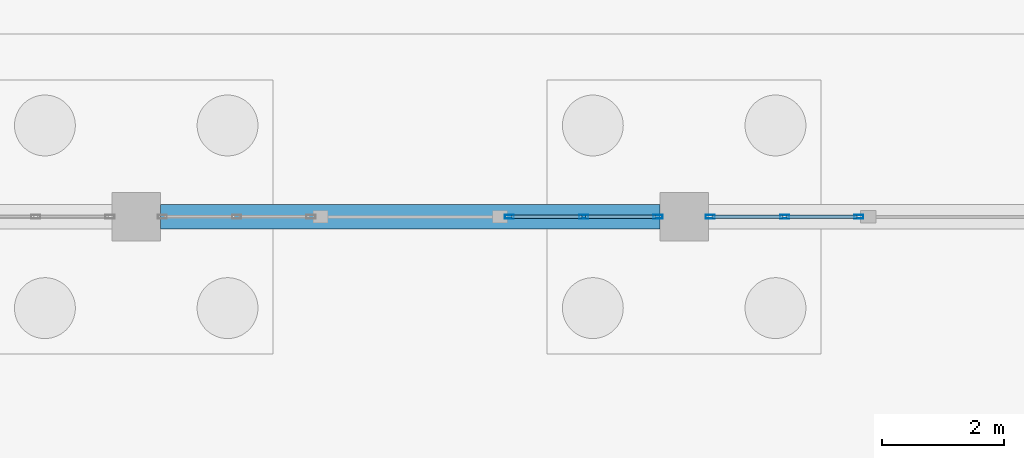
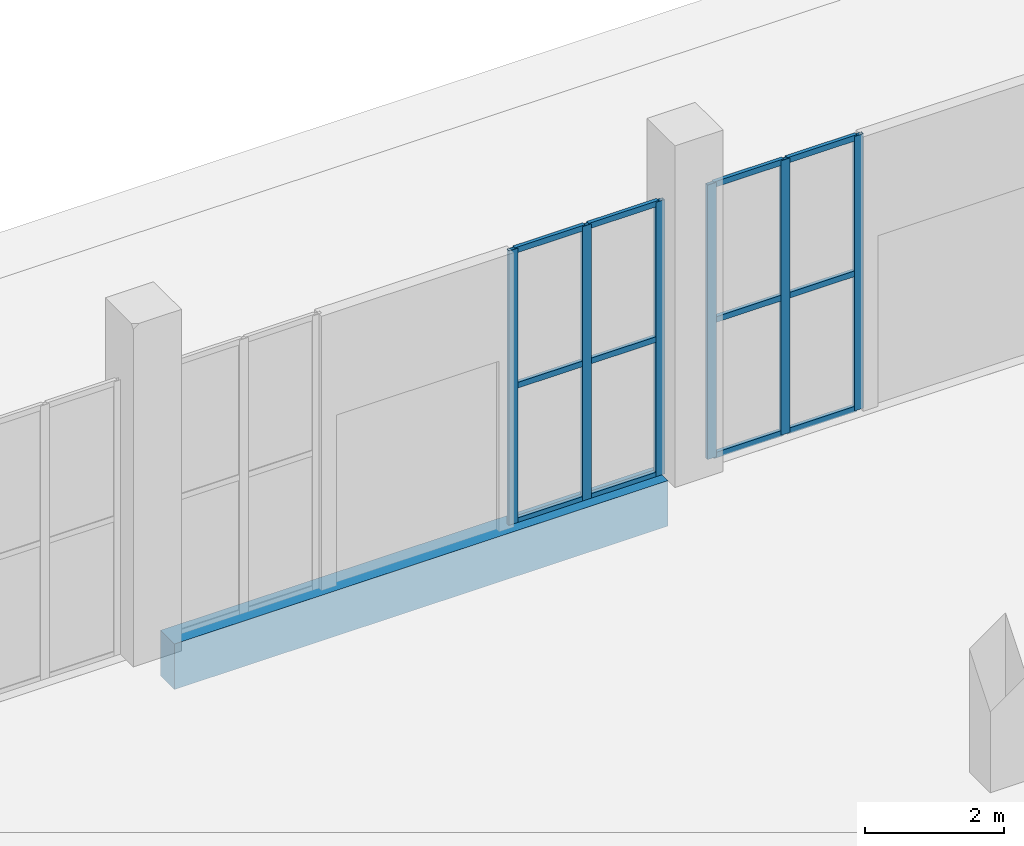
# One storey, part 40 of 198: 18 members, 1 beam, 2 elements without a shape of their own.
"""IFC4 building model written with IfcOpenShell, lengths in metres."""

from ifc_helpers import new_model, si_unit, direction, frame, origin, origin_2d, place, context, subcontext, project, spatial, rectangle, hollow_rectangle, extrude, material, layer, layer_set, material_profile, profile_set, type_object, element, aggregate, save


model = new_model("IFC4")

# Units and contexts
model_context = context("Model", 3, precision=1e-05, world=origin(), true_north=direction((0.0, 1.0)))
body_context = subcontext(model_context, "Body", "Model", "MODEL_VIEW")
ifc_project = project(units=[si_unit("LENGTHUNIT", "METRE"), si_unit("AREAUNIT", "SQUARE_METRE"), si_unit("VOLUMEUNIT", "CUBIC_METRE"), si_unit("PLANEANGLEUNIT", "RADIAN"), si_unit("MASSUNIT", "GRAM", prefix="KILO")], contexts=[model_context])

# Site, building, storey
site_placement = place(None, origin())
site = spatial("IfcSite", under=ifc_project, at=site_placement, CompositionType="ELEMENT")
building_placement = place(site_placement, origin())
building = spatial("IfcBuilding", under=site, at=building_placement, Name="Opaline Strait Convention Centre", CompositionType="ELEMENT")
storey_placement = place(building_placement, origin())
storey = spatial("IfcBuildingStorey", under=building, at=storey_placement, Name="L00", CompositionType="ELEMENT", Elevation=0.0)

# Curtain wall, members
ifc_material_1 = material(Name="Aluminium framed double glazing", Category="aluminium")
ifc_layer = layer(ifc_material_1, 0.199951171875)
ifc_layer_set = layer_set([ifc_layer], Name="Aluminium framed double glazing")
curtain_wall_type = type_object("IfcCurtainWallType", Name="Curtain wall 1250", PredefinedType="NOTDEFINED", material=ifc_layer_set)
curtain_wall_1_placement = place(storey_placement, origin())
curtain_wall_1 = element("IfcCurtainWall", 1, at=curtain_wall_1_placement, inside=storey, type_object=curtain_wall_type, Name="Curtain wall N-27b-L00", PredefinedType="NOTDEFINED")
ifc_material_2 = material(Name="Aluminium alloy 6063", Category="aluminium")
ifc_material_profile_1 = material_profile(ifc_material_2, hollow_rectangle(XDim=0.06005859375, YDim=0.14990234375, WallThickness=0.00390625, at=origin_2d()), Name="MULLION 60x150x4")
ifc_profile_set_1 = profile_set([ifc_material_profile_1], Name="Aluminium alloy 6063")
member_type_1 = type_object("IfcMemberType", Name="Curtain wall mullion 60 x 150", PredefinedType="MULLION", material=ifc_profile_set_1)
member_1_placement = place(storey_placement, frame((33.130126953125, 180.0, 0.0), z_axis=(0.0, 0.0, 1.0), x_axis=(0.0, 1.0, 0.0)))
member_1 = element("IfcMember", 2, at=member_1_placement, type_object=member_type_1, Name="PCW mullion 1", PredefinedType="MULLION", context=body_context, shape_type="SweptSolid", body=[
    extrude(hollow_rectangle(XDim=0.06005859375, YDim=0.14990234375, WallThickness=0.00390625, at=origin_2d()), origin(), (0.0, 0.0, 1.0), 4.820068359375),
])
member_2_placement = place(storey_placement, frame((34.35009765625, 180.0, 0.0), z_axis=(0.0, 0.0, 1.0), x_axis=(0.0, 1.0, 0.0)))
member_2 = element("IfcMember", 3, at=member_2_placement, type_object=member_type_1, Name="PCW mullion 2", PredefinedType="MULLION", context=body_context, shape_type="SweptSolid", body=[
    extrude(hollow_rectangle(XDim=0.06005859375, YDim=0.14990234375, WallThickness=0.00390625, at=origin_2d()), origin(), (0.0, 0.0, 1.0), 4.820068359375),
])
member_3_placement = place(storey_placement, frame((35.570068359375, 180.0, 0.0), z_axis=(0.0, 0.0, 1.0), x_axis=(0.0, 1.0, 0.0)))
member_3 = element("IfcMember", 4, at=member_3_placement, type_object=member_type_1, Name="PCW mullion 3", PredefinedType="MULLION", context=body_context, shape_type="SweptSolid", body=[
    extrude(hollow_rectangle(XDim=0.06005859375, YDim=0.14990234375, WallThickness=0.00390625, at=origin_2d()), origin(), (0.0, 0.0, 1.0), 4.820068359375),
])

curtain_wall_2_placement = place(storey_placement, origin())
curtain_wall_2 = element("IfcCurtainWall", 5, at=curtain_wall_2_placement, inside=storey, type_object=curtain_wall_type, Name="Curtain wall N-36a-L00", PredefinedType="NOTDEFINED")
member_4_placement = place(storey_placement, frame((36.429931640625, 180.0, 0.0), z_axis=(0.0, 0.0, 1.0), x_axis=(0.0, 1.0, 0.0)))
member_4 = element("IfcMember", 6, at=member_4_placement, type_object=member_type_1, Name="PCW mullion 1", PredefinedType="MULLION", context=body_context, shape_type="SweptSolid", body=[
    extrude(hollow_rectangle(XDim=0.06005859375, YDim=0.14990234375, WallThickness=0.00390625, at=origin_2d()), origin(), (0.0, 0.0, 1.0), 4.820068359375),
])
member_5_placement = place(storey_placement, frame((37.64990234375, 180.0, 0.0), z_axis=(0.0, 0.0, 1.0), x_axis=(0.0, 1.0, 0.0)))
member_5 = element("IfcMember", 7, at=member_5_placement, type_object=member_type_1, Name="PCW mullion 2", PredefinedType="MULLION", context=body_context, shape_type="SweptSolid", body=[
    extrude(hollow_rectangle(XDim=0.06005859375, YDim=0.14990234375, WallThickness=0.00390625, at=origin_2d()), origin(), (0.0, 0.0, 1.0), 4.820068359375),
])
member_6_placement = place(storey_placement, frame((38.869873046875, 180.0, 0.0), z_axis=(0.0, 0.0, 1.0), x_axis=(0.0, 1.0, 0.0)))
member_6 = element("IfcMember", 8, at=member_6_placement, type_object=member_type_1, Name="PCW mullion 3", PredefinedType="MULLION", context=body_context, shape_type="SweptSolid", body=[
    extrude(hollow_rectangle(XDim=0.06005859375, YDim=0.14990234375, WallThickness=0.00390625, at=origin_2d()), origin(), (0.0, 0.0, 1.0), 4.820068359375),
])

# Member
ifc_material_profile_2 = material_profile(ifc_material_2, hollow_rectangle(XDim=0.06005859375, YDim=0.10009765625, WallThickness=0.0029296875, at=origin_2d()), Name="TRANSOM 60x100x3")
ifc_profile_set_2 = profile_set([ifc_material_profile_2], Name="Aluminium alloy 6063")
member_type_2 = type_object("IfcMemberType", Name="Curtain wall transom 60 x 100", PredefinedType="USERDEFINED", material=ifc_profile_set_2)
member_7_placement = place(storey_placement, frame((33.16015625, 180.0, 0.030029296875), z_axis=(1.0, 0.0, 0.0), x_axis=(0.0, 1.0, 0.0)))
member_7 = element("IfcMember", 9, at=member_7_placement, type_object=member_type_2, Name="PCW transom 1.1", ObjectType="TRANSOM", PredefinedType="USERDEFINED", context=body_context, shape_type="SweptSolid", body=[
    extrude(hollow_rectangle(XDim=0.06005859375, YDim=0.10009765625, WallThickness=0.0029296875, at=origin_2d()), origin(), (0.0, 0.0, 1.0), 1.159912109375),
])

member_8_placement = place(storey_placement, frame((33.16015625, 180.0, 2.409912109375), z_axis=(1.0, 0.0, 0.0), x_axis=(0.0, 1.0, 0.0)))
member_8 = element("IfcMember", 10, at=member_8_placement, type_object=member_type_2, Name="PCW transom 1.2", ObjectType="TRANSOM", PredefinedType="USERDEFINED", context=body_context, shape_type="SweptSolid", body=[
    extrude(hollow_rectangle(XDim=0.06005859375, YDim=0.10009765625, WallThickness=0.0029296875, at=origin_2d()), origin(), (0.0, 0.0, 1.0), 1.159912109375),
])

member_9_placement = place(storey_placement, frame((33.16015625, 180.0, 4.7900390625), z_axis=(1.0, 0.0, 0.0), x_axis=(0.0, 1.0, 0.0)))
member_9 = element("IfcMember", 11, at=member_9_placement, type_object=member_type_2, Name="PCW transom 1.3", ObjectType="TRANSOM", PredefinedType="USERDEFINED", context=body_context, shape_type="SweptSolid", body=[
    extrude(hollow_rectangle(XDim=0.06005859375, YDim=0.10009765625, WallThickness=0.0029296875, at=origin_2d()), origin(), (0.0, 0.0, 1.0), 1.159912109375),
])

member_10_placement = place(storey_placement, frame((34.380126953125, 180.0, 0.030029296875), z_axis=(1.0, 0.0, 0.0), x_axis=(0.0, 1.0, 0.0)))
member_10 = element("IfcMember", 12, at=member_10_placement, type_object=member_type_2, Name="PCW transom 2.1", ObjectType="TRANSOM", PredefinedType="USERDEFINED", context=body_context, shape_type="SweptSolid", body=[
    extrude(hollow_rectangle(XDim=0.06005859375, YDim=0.10009765625, WallThickness=0.0029296875, at=origin_2d()), origin(), (0.0, 0.0, 1.0), 1.159912109375),
])

member_11_placement = place(storey_placement, frame((34.380126953125, 180.0, 2.409912109375), z_axis=(1.0, 0.0, 0.0), x_axis=(0.0, 1.0, 0.0)))
member_11 = element("IfcMember", 13, at=member_11_placement, type_object=member_type_2, Name="PCW transom 2.2", ObjectType="TRANSOM", PredefinedType="USERDEFINED", context=body_context, shape_type="SweptSolid", body=[
    extrude(hollow_rectangle(XDim=0.06005859375, YDim=0.10009765625, WallThickness=0.0029296875, at=origin_2d()), origin(), (0.0, 0.0, 1.0), 1.159912109375),
])

member_12_placement = place(storey_placement, frame((34.380126953125, 180.0, 4.7900390625), z_axis=(1.0, 0.0, 0.0), x_axis=(0.0, 1.0, 0.0)))
member_12 = element("IfcMember", 14, at=member_12_placement, type_object=member_type_2, Name="PCW transom 2.3", ObjectType="TRANSOM", PredefinedType="USERDEFINED", context=body_context, shape_type="SweptSolid", body=[
    extrude(hollow_rectangle(XDim=0.06005859375, YDim=0.10009765625, WallThickness=0.0029296875, at=origin_2d()), origin(), (0.0, 0.0, 1.0), 1.159912109375),
])

aggregate(curtain_wall_1, [member_1, member_2, member_3, member_7, member_8, member_9, member_10, member_11, member_12])

member_13_placement = place(storey_placement, frame((36.4599609375, 180.0, 0.030029296875), z_axis=(1.0, 0.0, 0.0), x_axis=(0.0, 1.0, 0.0)))
member_13 = element("IfcMember", 15, at=member_13_placement, type_object=member_type_2, Name="PCW transom 1.1", ObjectType="TRANSOM", PredefinedType="USERDEFINED", context=body_context, shape_type="SweptSolid", body=[
    extrude(hollow_rectangle(XDim=0.06005859375, YDim=0.10009765625, WallThickness=0.0029296875, at=origin_2d()), origin(), (0.0, 0.0, 1.0), 1.159912109375),
])

member_14_placement = place(storey_placement, frame((36.4599609375, 180.0, 2.409912109375), z_axis=(1.0, 0.0, 0.0), x_axis=(0.0, 1.0, 0.0)))
member_14 = element("IfcMember", 16, at=member_14_placement, type_object=member_type_2, Name="PCW transom 1.2", ObjectType="TRANSOM", PredefinedType="USERDEFINED", context=body_context, shape_type="SweptSolid", body=[
    extrude(hollow_rectangle(XDim=0.06005859375, YDim=0.10009765625, WallThickness=0.0029296875, at=origin_2d()), origin(), (0.0, 0.0, 1.0), 1.159912109375),
])

member_15_placement = place(storey_placement, frame((36.4599609375, 180.0, 4.7900390625), z_axis=(1.0, 0.0, 0.0), x_axis=(0.0, 1.0, 0.0)))
member_15 = element("IfcMember", 17, at=member_15_placement, type_object=member_type_2, Name="PCW transom 1.3", ObjectType="TRANSOM", PredefinedType="USERDEFINED", context=body_context, shape_type="SweptSolid", body=[
    extrude(hollow_rectangle(XDim=0.06005859375, YDim=0.10009765625, WallThickness=0.0029296875, at=origin_2d()), origin(), (0.0, 0.0, 1.0), 1.159912109375),
])

member_16_placement = place(storey_placement, frame((37.679931640625, 180.0, 0.030029296875), z_axis=(1.0, 0.0, 0.0), x_axis=(0.0, 1.0, 0.0)))
member_16 = element("IfcMember", 18, at=member_16_placement, type_object=member_type_2, Name="PCW transom 2.1", ObjectType="TRANSOM", PredefinedType="USERDEFINED", context=body_context, shape_type="SweptSolid", body=[
    extrude(hollow_rectangle(XDim=0.06005859375, YDim=0.10009765625, WallThickness=0.0029296875, at=origin_2d()), origin(), (0.0, 0.0, 1.0), 1.159912109375),
])

member_17_placement = place(storey_placement, frame((37.679931640625, 180.0, 2.409912109375), z_axis=(1.0, 0.0, 0.0), x_axis=(0.0, 1.0, 0.0)))
member_17 = element("IfcMember", 19, at=member_17_placement, type_object=member_type_2, Name="PCW transom 2.2", ObjectType="TRANSOM", PredefinedType="USERDEFINED", context=body_context, shape_type="SweptSolid", body=[
    extrude(hollow_rectangle(XDim=0.06005859375, YDim=0.10009765625, WallThickness=0.0029296875, at=origin_2d()), origin(), (0.0, 0.0, 1.0), 1.159912109375),
])

member_18_placement = place(storey_placement, frame((37.679931640625, 180.0, 4.7900390625), z_axis=(1.0, 0.0, 0.0), x_axis=(0.0, 1.0, 0.0)))
member_18 = element("IfcMember", 20, at=member_18_placement, type_object=member_type_2, Name="PCW transom 2.3", ObjectType="TRANSOM", PredefinedType="USERDEFINED", context=body_context, shape_type="SweptSolid", body=[
    extrude(hollow_rectangle(XDim=0.06005859375, YDim=0.10009765625, WallThickness=0.0029296875, at=origin_2d()), origin(), (0.0, 0.0, 1.0), 1.159912109375),
])

aggregate(curtain_wall_2, [member_4, member_5, member_6, member_13, member_14, member_15, member_16, member_17, member_18])

# Beam
ifc_material_3 = material(Name="Concrete C35", Category="concrete")
ifc_material_profile_3 = material_profile(ifc_material_3, rectangle(XDim=0.39990234375, YDim=0.800048828125, at=origin_2d()), Name="RC 400x800")
ifc_profile_set_3 = profile_set([ifc_material_profile_3], Name="Concrete C35")
beam_type = type_object("IfcBeamType", Name="RC ground beam 400x800 C35", PredefinedType="BEAM", material=ifc_profile_set_3)
beam_placement = place(storey_placement, frame((27.39990234375, 180.0, -0.39990234375), z_axis=(1.0, 0.0, 0.0), x_axis=(0.0, 1.0, 0.0)))
element("IfcBeam", 21, at=beam_placement, inside=storey, type_object=beam_type, Name="PGB1 ground beam 4/W-5/W", PredefinedType="BEAM", context=body_context, shape_type="SweptSolid", body=[
    extrude(rectangle(XDim=0.39990234375, YDim=0.800048828125, at=origin_2d()), origin(), (0.0, 0.0, 1.0), 8.2001953125),
])

save(model, "model.ifc")
